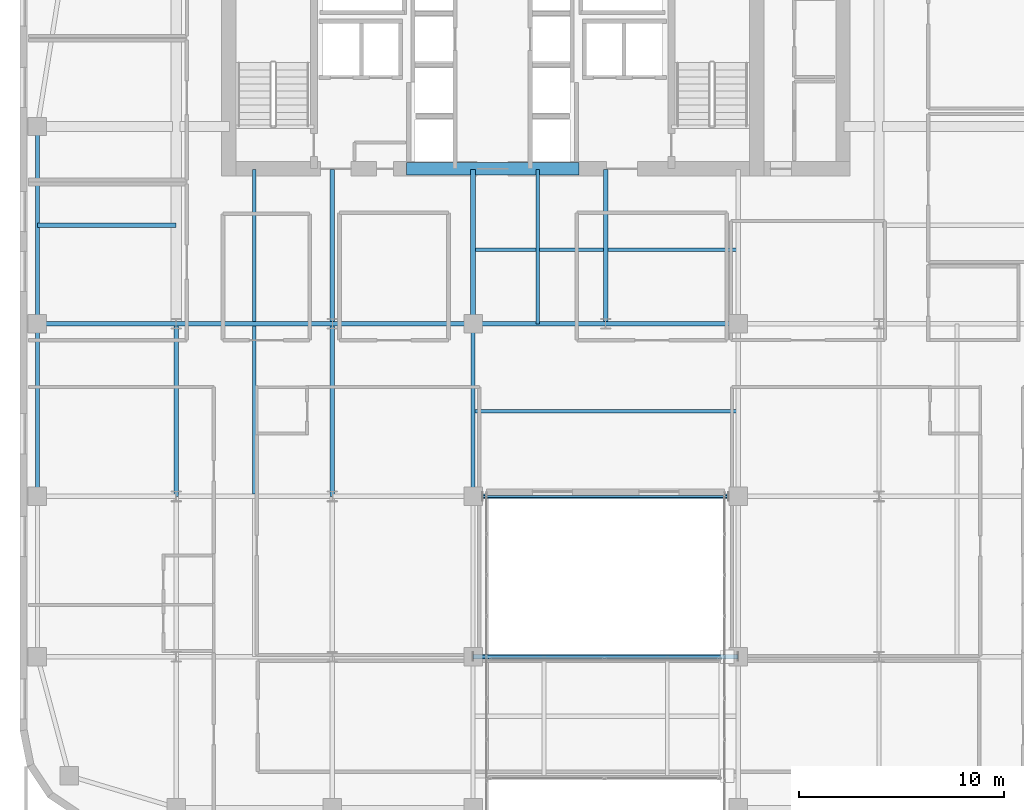
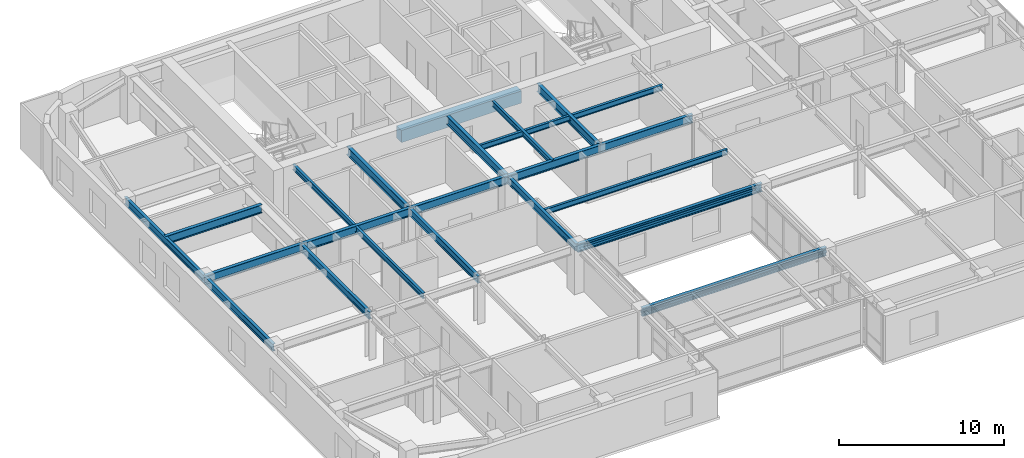
# One storey, part 4 of 25: 22 beams, 2 members.
"""IFC4 building model written with IfcOpenShell, lengths in metres."""

from ifc_helpers import new_model, si_unit, direction, frame, origin, origin_2d, place, context, subcontext, project, spatial, rectangle, hollow_rectangle, hollow_circle, i_section, extrude, source, transform, mapped, material, material_profile, profile_set, type_object, type_shapes, element, save


model = new_model("IFC4")

# Units and contexts
model_context = context("Model", 3, precision=1e-05, world=origin(), true_north=direction((0.0, 1.0)))
body_context = subcontext(model_context, "Body", "Model", "MODEL_VIEW")
ifc_project = project(units=[si_unit("LENGTHUNIT", "METRE"), si_unit("AREAUNIT", "SQUARE_METRE"), si_unit("VOLUMEUNIT", "CUBIC_METRE"), si_unit("PLANEANGLEUNIT", "RADIAN"), si_unit("MASSUNIT", "GRAM", prefix="KILO")], contexts=[model_context])

# Site, building, storey
site_placement = place(None, origin())
site = spatial("IfcSite", under=ifc_project, at=site_placement, CompositionType="ELEMENT")
building_placement = place(site_placement, origin())
building = spatial("IfcBuilding", under=site, at=building_placement, Name="Tolvann Quenvar Hotel", CompositionType="ELEMENT")
storey_placement = place(building_placement, frame((0.0, 0.0, 122.199951171875)))
storey = spatial("IfcBuildingStorey", under=building, at=storey_placement, Name="L31", CompositionType="ELEMENT", Elevation=122.199951171875)

# Beams
ifc_material_1 = material(Name="Concrete N50 (50 MPa)", Category="concrete")
ifc_material_profile_1 = material_profile(ifc_material_1, rectangle(XDim=0.60009765625, YDim=0.89990234375, at=origin_2d()), Name="RC600x900")
ifc_profile_set_1 = profile_set([ifc_material_profile_1], Name="Concrete N50 (50 MPa)")
beam_type_1 = type_object("IfcBeamType", Name="BM_LINT_RC600x900", PredefinedType="LINTEL", material=ifc_profile_set_1)
shared_shape_1 = source(origin(), body_context, "Body", "SweptSolid", [
    extrude(rectangle(XDim=0.60009765625, YDim=0.89990234375, at=origin_2d()), origin(), (0.0, 0.0, 1.0), 8.39990234375),
])
type_shapes(beam_type_1, [shared_shape_1])
beam_1_placement = place(storey_placement, frame((18.800048828125, 31.949951171875, 2.920166015625), z_axis=(1.0, 0.0, 0.0), x_axis=(0.0, 1.0, 0.0)))
element("IfcBeam", 1, at=beam_1_placement, inside=storey, type_object=beam_type_1, Name="Core Coupling Lintel Beam (L31)", PredefinedType="LINTEL", context=body_context, shape_type="MappedRepresentation", body=[
    mapped(shared_shape_1, transform((0.0, 0.0, 0.0), x_axis=(1.0, 0.0, 0.0), y_axis=(0.0, 1.0, 0.0), z_axis=(0.0, 0.0, 1.0), scale=1.0)),
])
ifc_material_2 = material(Name="Steel Grade 350", Category="steel")
ifc_material_profile_2 = material_profile(ifc_material_2, i_section(OverallWidth=0.22900390625, OverallDepth=0.612060546875, WebThickness=0.011962890625, FlangeThickness=0.01953125, FilletRadius=0.013916015625, at=origin_2d()), Name="610UB125")
ifc_profile_set_2 = profile_set([ifc_material_profile_2], Name="Steel Grade 350")
beam_type_2 = type_object("IfcBeamType", Name="BM_GIRD_610UB125", PredefinedType="BEAM", material=ifc_profile_set_2)
shared_shape_2 = source(origin(), body_context, "Body", "SweptSolid", [
    extrude(i_section(OverallWidth=0.22900390625, OverallDepth=0.612060546875, WebThickness=0.011962890625, FlangeThickness=0.01953125, FilletRadius=0.013916015625, at=origin_2d()), origin(), (0.0, 0.0, 1.0), 6.75),
])
for number, where, z_axis, x_axis, name in (
    (2, (0.85009765625, 24.39990234375, 3.06396484375), (1.0, 0.0, 0.0), (0.0, 1.0, 0.0), "BM-L31-EW-5-B5-C5"),
    (3, (0.85009765625, 29.199951171875, 3.06396484375), (1.0, 0.0, 0.0), (0.0, 1.0, 0.0), "BM-L31-EW-BC29"),
):
    element("IfcBeam", number, at=place(storey_placement, frame(where, z_axis=z_axis, x_axis=x_axis)), inside=storey, type_object=beam_type_2, Name=name, PredefinedType="BEAM", context=body_context, shape_type="MappedRepresentation", body=[
        mapped(shared_shape_2, transform((0.0, 0.0, 0.0), x_axis=(1.0, 0.0, 0.0), y_axis=(0.0, 1.0, 0.0), z_axis=(0.0, 0.0, 1.0), scale=1.0)),
    ])
shared_shape_3 = source(origin(), body_context, "Body", "SweptSolid", [
    extrude(i_section(OverallWidth=0.22900390625, OverallDepth=0.612060546875, WebThickness=0.011962890625, FlangeThickness=0.01953125, FilletRadius=0.013916015625, at=origin_2d()), origin(), (0.0, 0.0, 1.0), 7.599853515625),
])
beam_2_placement = place(storey_placement, frame((7.60009765625, 24.39990234375, 3.06396484375), z_axis=(1.0, 0.0, 0.0), x_axis=(0.0, 1.0, 0.0)))
element("IfcBeam", 4, at=beam_2_placement, inside=storey, type_object=beam_type_2, Name="BM-L31-EW-5-C5-D5", PredefinedType="BEAM", context=body_context, shape_type="MappedRepresentation", body=[
    mapped(shared_shape_3, transform((0.0, 0.0, 0.0), x_axis=(1.0, 0.0, 0.0), y_axis=(0.0, 1.0, 0.0), z_axis=(0.0, 0.0, 1.0), scale=1.0)),
])
shared_shape_4 = source(origin(), body_context, "Body", "SweptSolid", [
    extrude(i_section(OverallWidth=0.22900390625, OverallDepth=0.612060546875, WebThickness=0.011962890625, FlangeThickness=0.01953125, FilletRadius=0.013916015625, at=origin_2d()), origin(), (0.0, 0.0, 1.0), 6.85009765625),
])
beam_3_placement = place(storey_placement, frame((15.199951171875, 24.39990234375, 3.06396484375), z_axis=(1.0, 0.0, 0.0), x_axis=(0.0, 1.0, 0.0)))
element("IfcBeam", 5, at=beam_3_placement, inside=storey, type_object=beam_type_2, Name="BM-L31-EW-5-D5-E5", PredefinedType="BEAM", context=body_context, shape_type="MappedRepresentation", body=[
    mapped(shared_shape_4, transform((0.0, 0.0, 0.0), x_axis=(1.0, 0.0, 0.0), y_axis=(0.0, 1.0, 0.0), z_axis=(0.0, 0.0, 1.0), scale=1.0)),
])
shared_shape_5 = source(origin(), body_context, "Body", "SweptSolid", [
    extrude(i_section(OverallWidth=0.22900390625, OverallDepth=0.612060546875, WebThickness=0.011962890625, FlangeThickness=0.01953125, FilletRadius=0.013916015625, at=origin_2d()), origin(), (0.0, 0.0, 1.0), 12.89990234375),
])
for number, where, z_axis, x_axis, name in (
    (6, (22.050048828125, 16.0, 3.06396484375), (1.0, 0.0, 0.0), (0.0, 1.0, 0.0), "BM-L31-EW-4-E4-F4"),
    (7, (22.050048828125, 8.199951171875, 3.06396484375), (1.0, 0.0, 0.0), (0.0, 1.0, 0.0), "Skybridge Longitudinal Support Girder (L32-N)"),
):
    element("IfcBeam", number, at=place(storey_placement, frame(where, z_axis=z_axis, x_axis=x_axis)), inside=storey, type_object=beam_type_2, Name=name, PredefinedType="BEAM", context=body_context, shape_type="MappedRepresentation", body=[
        mapped(shared_shape_5, transform((0.0, 0.0, 0.0), x_axis=(1.0, 0.0, 0.0), y_axis=(0.0, 1.0, 0.0), z_axis=(0.0, 0.0, 1.0), scale=1.0)),
    ])
shared_shape_6 = source(origin(), body_context, "Body", "SweptSolid", [
    extrude(i_section(OverallWidth=0.22900390625, OverallDepth=0.612060546875, WebThickness=0.011962890625, FlangeThickness=0.01953125, FilletRadius=0.013916015625, at=origin_2d()), origin(), (0.0, 0.0, 1.0), 6.449951171875),
])
for number, where, z_axis, x_axis, name in (
    (8, (22.050048828125, 24.39990234375, 3.06396484375), (1.0, 0.0, 0.0), (0.0, 1.0, 0.0), "BM-L31-EW-5-E5-M5"),
    (9, (28.5, 24.39990234375, 3.06396484375), (1.0, 0.0, 0.0), (0.0, 1.0, 0.0), "BM-L31-EW-5-M5-F5"),
):
    element("IfcBeam", number, at=place(storey_placement, frame(where, z_axis=z_axis, x_axis=x_axis)), inside=storey, type_object=beam_type_2, Name=name, PredefinedType="BEAM", context=body_context, shape_type="MappedRepresentation", body=[
        mapped(shared_shape_6, transform((0.0, 0.0, 0.0), x_axis=(1.0, 0.0, 0.0), y_axis=(0.0, 1.0, 0.0), z_axis=(0.0, 0.0, 1.0), scale=1.0)),
    ])
ifc_material_profile_3 = material_profile(ifc_material_2, i_section(OverallWidth=0.208984375, OverallDepth=0.528076171875, WebThickness=0.009521484375, FlangeThickness=0.01318359375, FilletRadius=0.013916015625, at=origin_2d()), Name="530UB82")
ifc_profile_set_3 = profile_set([ifc_material_profile_3], Name="Steel Grade 350")
beam_type_3 = type_object("IfcBeamType", Name="BM_SPAND_530UB82", PredefinedType="SPANDREL", material=ifc_profile_set_3)
shared_shape_7 = source(origin(), body_context, "Body", "SweptSolid", [
    extrude(i_section(OverallWidth=0.208984375, OverallDepth=0.528076171875, WebThickness=0.009521484375, FlangeThickness=0.01318359375, FilletRadius=0.013916015625, at=origin_2d()), origin(), (0.0, 0.0, 1.0), 8.39990234375),
])
beam_4_placement = place(storey_placement, frame((0.85009765625, 16.0, 3.10595703125), z_axis=(0.0, 1.0, 0.0), x_axis=(-1.0, 0.0, 0.0)))
element("IfcBeam", 10, at=beam_4_placement, inside=storey, type_object=beam_type_3, Name="BM-L31-NS-B4-B5", PredefinedType="SPANDREL", context=body_context, shape_type="MappedRepresentation", body=[
    mapped(shared_shape_7, transform((0.0, 0.0, 0.0), x_axis=(1.0, 0.0, 0.0), y_axis=(0.0, 1.0, 0.0), z_axis=(0.0, 0.0, 1.0), scale=1.0)),
])
ifc_material_profile_4 = material_profile(ifc_material_2, i_section(OverallWidth=0.208984375, OverallDepth=0.532958984375, WebThickness=0.01025390625, FlangeThickness=0.015625, FilletRadius=0.013916015625, at=origin_2d()), Name="530UB92")
ifc_profile_set_4 = profile_set([ifc_material_profile_4], Name="Steel Grade 350")
beam_type_4 = type_object("IfcBeamType", Name="BM_GIRD_530UB92", PredefinedType="BEAM", material=ifc_profile_set_4)
shared_shape_8 = source(origin(), body_context, "Body", "SweptSolid", [
    extrude(i_section(OverallWidth=0.208984375, OverallDepth=0.532958984375, WebThickness=0.01025390625, FlangeThickness=0.015625, FilletRadius=0.013916015625, at=origin_2d()), origin(), (0.0, 0.0, 1.0), 8.39990234375),
])
type_shapes(beam_type_4, [shared_shape_8])
for number, where, z_axis, x_axis, name in (
    (11, (7.60009765625, 16.0, 3.103515625), (0.0, 1.0, 0.0), (-1.0, 0.0, 0.0), "BM-L31-NS-C4-C5"),
    (12, (15.199951171875, 16.0, 3.103515625), (0.0, 1.0, 0.0), (-1.0, 0.0, 0.0), "BM-L31-NS-D4-D5"),
    (13, (22.050048828125, 16.0, 3.103515625), (0.0, 1.0, 0.0), (-1.0, 0.0, 0.0), "BM-L31-NS-E4-E5"),
):
    element("IfcBeam", number, at=place(storey_placement, frame(where, z_axis=z_axis, x_axis=x_axis)), inside=storey, type_object=beam_type_4, Name=name, PredefinedType="BEAM", context=body_context, shape_type="MappedRepresentation", body=[
        mapped(shared_shape_8, transform((0.0, 0.0, 0.0), x_axis=(1.0, 0.0, 0.0), y_axis=(0.0, 1.0, 0.0), z_axis=(0.0, 0.0, 1.0), scale=1.0)),
    ])
shared_shape_9 = source(origin(), body_context, "Body", "SweptSolid", [
    extrude(i_section(OverallWidth=0.22900390625, OverallDepth=0.612060546875, WebThickness=0.011962890625, FlangeThickness=0.01953125, FilletRadius=0.013916015625, at=origin_2d()), origin(), (0.0, 0.0, 1.0), 7.5),
])
type_shapes(beam_type_2, [shared_shape_2, shared_shape_3, shared_shape_4, shared_shape_5, shared_shape_6, shared_shape_9])
for number, where, z_axis, x_axis, name in (
    (14, (15.199951171875, 24.39990234375, 3.06396484375), (0.0, 1.0, 0.0), (-1.0, 0.0, 0.0), "BM-L31-CORE-D5"),
    (15, (22.050048828125, 24.39990234375, 3.06396484375), (0.0, 1.0, 0.0), (-1.0, 0.0, 0.0), "BM-L31-CORE-E5"),
    (16, (28.5, 24.39990234375, 3.06396484375), (0.0, 1.0, 0.0), (-1.0, 0.0, 0.0), "BM-L31-CORE-M5"),
):
    element("IfcBeam", number, at=place(storey_placement, frame(where, z_axis=z_axis, x_axis=x_axis)), inside=storey, type_object=beam_type_2, Name=name, PredefinedType="BEAM", context=body_context, shape_type="MappedRepresentation", body=[
        mapped(shared_shape_9, transform((0.0, 0.0, 0.0), x_axis=(1.0, 0.0, 0.0), y_axis=(0.0, 1.0, 0.0), z_axis=(0.0, 0.0, 1.0), scale=1.0)),
    ])
shared_shape_10 = source(origin(), body_context, "Body", "SweptSolid", [
    extrude(i_section(OverallWidth=0.208984375, OverallDepth=0.528076171875, WebThickness=0.009521484375, FlangeThickness=0.01318359375, FilletRadius=0.013916015625, at=origin_2d()), origin(), (0.0, 0.0, 1.0), 9.60009765625),
])
type_shapes(beam_type_3, [shared_shape_7, shared_shape_10])
beam_5_placement = place(storey_placement, frame((0.85009765625, 24.39990234375, 3.10595703125), z_axis=(0.0, 1.0, 0.0), x_axis=(-1.0, 0.0, 0.0)))
element("IfcBeam", 17, at=beam_5_placement, inside=storey, type_object=beam_type_3, Name="BM-L31-FLK-W1", PredefinedType="SPANDREL", context=body_context, shape_type="MappedRepresentation", body=[
    mapped(shared_shape_10, transform((0.0, 0.0, 0.0), x_axis=(1.0, 0.0, 0.0), y_axis=(0.0, 1.0, 0.0), z_axis=(0.0, 0.0, 1.0), scale=1.0)),
])
ifc_material_profile_5 = material_profile(ifc_material_2, i_section(OverallWidth=0.177978515625, OverallDepth=0.406005859375, WebThickness=0.0078125, FlangeThickness=0.0126953125, FilletRadius=0.011474609375, at=origin_2d()), Name="410UB60")
ifc_profile_set_5 = profile_set([ifc_material_profile_5], Name="Steel Grade 350")
beam_type_5 = type_object("IfcBeamType", Name="BM_JOIST_410UB60", PredefinedType="JOIST", material=ifc_profile_set_5)
shared_shape_11 = source(origin(), body_context, "Body", "SweptSolid", [
    extrude(i_section(OverallWidth=0.177978515625, OverallDepth=0.406005859375, WebThickness=0.0078125, FlangeThickness=0.0126953125, FilletRadius=0.011474609375, at=origin_2d()), origin(), (0.0, 0.0, 1.0), 12.89990234375),
])
for number, where, z_axis, x_axis, name in (
    (18, (22.050048828125, 20.14990234375, 3.1669921875), (1.0, 0.0, 0.0), (0.0, 1.0, 0.0), "BM-L31-SPINE-20"),
    (19, (22.050048828125, 28.0, 3.1669921875), (1.0, 0.0, 0.0), (0.0, 1.0, 0.0), "BM-L31-SPINE-28"),
):
    element("IfcBeam", number, at=place(storey_placement, frame(where, z_axis=z_axis, x_axis=x_axis)), inside=storey, type_object=beam_type_5, Name=name, PredefinedType="JOIST", context=body_context, shape_type="MappedRepresentation", body=[
        mapped(shared_shape_11, transform((0.0, 0.0, 0.0), x_axis=(1.0, 0.0, 0.0), y_axis=(0.0, 1.0, 0.0), z_axis=(0.0, 0.0, 1.0), scale=1.0)),
    ])
shared_shape_12 = source(origin(), body_context, "Body", "SweptSolid", [
    extrude(i_section(OverallWidth=0.177978515625, OverallDepth=0.406005859375, WebThickness=0.0078125, FlangeThickness=0.0126953125, FilletRadius=0.011474609375, at=origin_2d()), origin(), (0.0, 0.0, 1.0), 8.18310546875),
])
beam_6_placement = place(storey_placement, frame((11.39990234375, 16.1083984375, 3.1669921875), z_axis=(0.0, 1.0, 0.0), x_axis=(-1.0, 0.0, 0.0)))
element("IfcBeam", 20, at=beam_6_placement, inside=storey, type_object=beam_type_5, Name="BJ-L31-114-160", PredefinedType="JOIST", context=body_context, shape_type="MappedRepresentation", body=[
    mapped(shared_shape_12, transform((0.0, 0.0, 0.0), x_axis=(1.0, 0.0, 0.0), y_axis=(0.0, 1.0, 0.0), z_axis=(0.0, 0.0, 1.0), scale=1.0)),
])
shared_shape_13 = source(origin(), body_context, "Body", "SweptSolid", [
    extrude(i_section(OverallWidth=0.177978515625, OverallDepth=0.406005859375, WebThickness=0.0078125, FlangeThickness=0.0126953125, FilletRadius=0.011474609375, at=origin_2d()), origin(), (0.0, 0.0, 1.0), 7.391357421875),
])
beam_7_placement = place(storey_placement, frame((11.39990234375, 24.508544921875, 3.1669921875), z_axis=(0.0, 1.0, 0.0), x_axis=(-1.0, 0.0, 0.0)))
element("IfcBeam", 21, at=beam_7_placement, inside=storey, type_object=beam_type_5, Name="BJ-L31-114-244", PredefinedType="JOIST", context=body_context, shape_type="MappedRepresentation", body=[
    mapped(shared_shape_13, transform((0.0, 0.0, 0.0), x_axis=(1.0, 0.0, 0.0), y_axis=(0.0, 1.0, 0.0), z_axis=(0.0, 0.0, 1.0), scale=1.0)),
])
shared_shape_14 = source(origin(), body_context, "Body", "SweptSolid", [
    extrude(i_section(OverallWidth=0.177978515625, OverallDepth=0.406005859375, WebThickness=0.0078125, FlangeThickness=0.0126953125, FilletRadius=0.011474609375, at=origin_2d()), origin(), (0.0, 0.0, 1.0), 7.5),
])
type_shapes(beam_type_5, [shared_shape_11, shared_shape_12, shared_shape_13, shared_shape_14])
beam_8_placement = place(storey_placement, frame((25.199951171875, 24.39990234375, 3.1669921875), z_axis=(0.0, 1.0, 0.0), x_axis=(-1.0, 0.0, 0.0)))
element("IfcBeam", 22, at=beam_8_placement, inside=storey, type_object=beam_type_5, Name="BJ-L31-252-244", PredefinedType="JOIST", context=body_context, shape_type="MappedRepresentation", body=[
    mapped(shared_shape_14, transform((0.0, 0.0, 0.0), x_axis=(1.0, 0.0, 0.0), y_axis=(0.0, 1.0, 0.0), z_axis=(0.0, 0.0, 1.0), scale=1.0)),
])

# Members
ifc_material_3 = material(Name="Steel Grade 450 (C450L0)", Category="steel")
ifc_material_profile_6 = material_profile(ifc_material_3, hollow_circle(Radius=0.109619140625, WallThickness=0.00830078125, at=origin_2d()), Name="219.1x8.2CHS")
ifc_profile_set_6 = profile_set([ifc_material_profile_6], Name="Steel Grade 450 (C450L0)")
member_type_1 = type_object("IfcMemberType", Name="MEM_BRG_219CHS", PredefinedType="BRACE", material=ifc_profile_set_6)
shared_shape_15 = source(origin(), body_context, "Body", "SweptSolid", [
    extrude(hollow_circle(Radius=0.109619140625, WallThickness=0.00830078125, at=origin_2d()), origin(), (0.0, 0.0, 1.0), 12.89990234375),
])
type_shapes(member_type_1, [shared_shape_15])
member_1_placement = place(storey_placement, frame((22.050048828125, 8.199951171875, 3.02001953125), z_axis=(1.0, 0.0, 0.0), x_axis=(0.0, 1.0, 0.0)))
element("IfcMember", 23, at=member_1_placement, inside=storey, type_object=member_type_1, Name="Skybridge Tie Strut (L31)", PredefinedType="BRACE", context=body_context, shape_type="MappedRepresentation", body=[
    mapped(shared_shape_15, transform((0.0, 0.0, 0.0), x_axis=(1.0, 0.0, 0.0), y_axis=(0.0, 1.0, 0.0), z_axis=(0.0, 0.0, 1.0), scale=1.0)),
])
ifc_material_profile_7 = material_profile(ifc_material_3, hollow_rectangle(XDim=0.10009765625, YDim=0.14990234375, WallThickness=0.006103515625, at=origin_2d()), Name="150x100x6RHS")
ifc_profile_set_7 = profile_set([ifc_material_profile_7], Name="Steel Grade 450 (C450L0)")
member_type_2 = type_object("IfcMemberType", Name="MEM_GIRT_150RHS", PredefinedType="CHORD", material=ifc_profile_set_7)
shared_shape_16 = source(origin(), body_context, "Body", "SweptSolid", [
    extrude(hollow_rectangle(XDim=0.10009765625, YDim=0.14990234375, WallThickness=0.006103515625, at=origin_2d()), origin(), (0.0, 0.0, 1.0), 11.97021484375),
])
type_shapes(member_type_2, [shared_shape_16])
member_2_placement = place(storey_placement, frame((22.514892578125, 16.0, 3.070068359375), z_axis=(1.0, 0.0, 0.0), x_axis=(0.0, 1.0, 0.0)))
element("IfcMember", 24, at=member_2_placement, inside=storey, type_object=member_type_2, Name="Atrium Slot Spandrel Girt (L31)", PredefinedType="CHORD", context=body_context, shape_type="MappedRepresentation", body=[
    mapped(shared_shape_16, transform((0.0, 0.0, 0.0), x_axis=(1.0, 0.0, 0.0), y_axis=(0.0, 1.0, 0.0), z_axis=(0.0, 0.0, 1.0), scale=1.0)),
])

save(model, "model.ifc")
